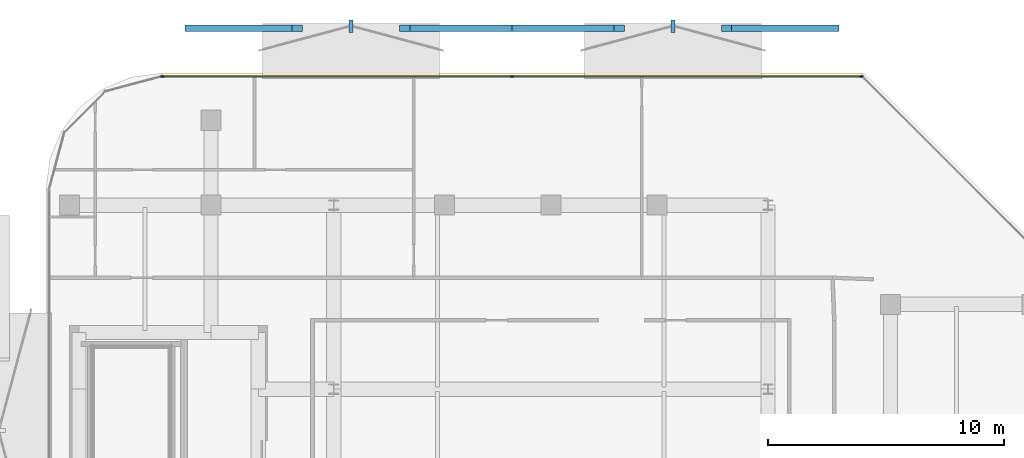
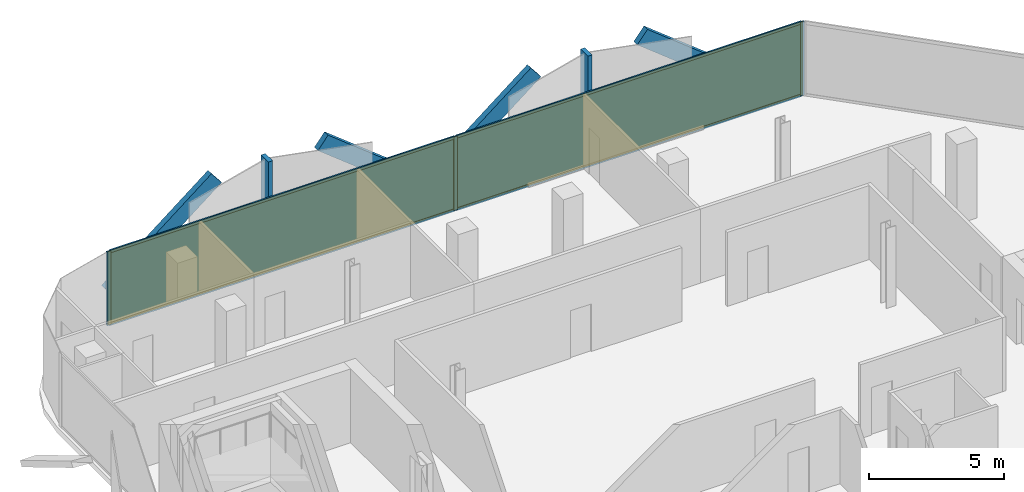
# One storey, part 10 of 15: 13 members, 2 plates, 1 curtain wall.
"""IFC4 building model written with IfcOpenShell, lengths in metres."""

from ifc_helpers import new_model, si_unit, direction, frame, frame_2d, origin, origin_2d, place, context, subcontext, project, spatial, rectangle, extrude, material, layer, layer_set, material_profile, profile_set, type_object, element, aggregate, save


model = new_model("IFC4")

# Units and contexts
model_context = context("Model", 3, precision=1e-05, world=origin(), true_north=direction((0.0, 1.0)))
body_context = subcontext(model_context, "Body", "Model", "MODEL_VIEW")
ifc_project = project(units=[si_unit("LENGTHUNIT", "METRE"), si_unit("AREAUNIT", "SQUARE_METRE"), si_unit("VOLUMEUNIT", "CUBIC_METRE"), si_unit("PLANEANGLEUNIT", "RADIAN"), si_unit("MASSUNIT", "GRAM", prefix="KILO")], contexts=[model_context])

# Member
ifc_material_1 = material(Name="Anodised Bronze Aluminium 6063-T6", Category="aluminium")
ifc_material_profile_1 = material_profile(ifc_material_1, rectangle(XDim=0.260009765625, YDim=0.699951171875, at=origin_2d()))
ifc_profile_set_1 = profile_set([ifc_material_profile_1], Name="Anodised Bronze Aluminium 6063-T6")
member_type_1 = type_object("IfcMemberType", Name="Bronze Diamond Solar-Screen Lattice Rib BDL-700", PredefinedType="MULLION", material=ifc_profile_set_1)
site_placement = place(None, origin())
building_placement = place(site_placement, origin())
storey_placement = place(building_placement, frame((0.0, 0.0, 265.60009765625)))
member_1_placement = place(storey_placement, frame((-15.290771484375, 26.10009765625, -0.130126953125), z_axis=(0.784134568513, 0.0, 0.620590830147), x_axis=(0.0, 1.0, 0.0)))
member_1 = element("IfcMember", 1, at=member_1_placement, type_object=member_type_1, Name="L63 Bronze Diamond Solar Screen Lattice Rib 437A", PredefinedType="MULLION", context=body_context, shape_type="SweptSolid", body=[
    extrude(rectangle(XDim=0.260009765625, YDim=0.699951171875, at=origin_2d()), origin(), (0.0, 0.0, 1.0), 5.801025390625),
])

member_2_placement = place(storey_placement, frame((-1.644287109375, 26.10009765625, -0.130126953125), z_axis=(-0.784134568513, 0.0, 0.620590830147), x_axis=(0.0, -1.0, 0.0)))
member_2 = element("IfcMember", 2, at=member_2_placement, type_object=member_type_1, Name="L63 Bronze Diamond Solar Screen Lattice Rib 437B", PredefinedType="MULLION", context=body_context, shape_type="SweptSolid", body=[
    extrude(rectangle(XDim=0.260009765625, YDim=0.699951171875, at=origin_2d()), origin(), (0.0, 0.0, 1.0), 5.801025390625),
])

member_3_placement = place(storey_placement, frame((-1.644287109375, 26.10009765625, -0.130126953125), z_axis=(0.784118359248, 0.0, 0.620611310476), x_axis=(0.0, 1.0, 0.0)))
member_3 = element("IfcMember", 3, at=member_3_placement, type_object=member_type_1, Name="L63 Bronze Diamond Solar Screen Lattice Rib 438A", PredefinedType="MULLION", context=body_context, shape_type="SweptSolid", body=[
    extrude(rectangle(XDim=0.260009765625, YDim=0.699951171875, at=origin_2d()), origin(), (0.0, 0.0, 1.0), 5.80078125),
])

member_4_placement = place(storey_placement, frame((12.001953125, 26.10009765625, -0.130126953125), z_axis=(-0.784134568513, 0.0, 0.620590830147), x_axis=(0.0, -1.0, 0.0)))
member_4 = element("IfcMember", 4, at=member_4_placement, type_object=member_type_1, Name="L63 Bronze Diamond Solar Screen Lattice Rib 438B", PredefinedType="MULLION", context=body_context, shape_type="SweptSolid", body=[
    extrude(rectangle(XDim=0.260009765625, YDim=0.699951171875, at=origin_2d()), origin(), (0.0, 0.0, 1.0), 5.801025390625),
])

ifc_material_2 = material(Name="Anodised Bronze Aluminium 6063-T6", Category="aluminium")
ifc_material_profile_2 = material_profile(ifc_material_2, rectangle(XDim=0.179931640625, YDim=0.5400390625, at=origin_2d()))
ifc_profile_set_2 = profile_set([ifc_material_profile_2], Name="Anodised Bronze Aluminium 6063-T6")
member_type_2 = type_object("IfcMemberType", Name="Bronze Solar-Screen Vertical Fold Fin BSF-540", PredefinedType="MULLION", material=ifc_profile_set_2)
member_5_placement = place(storey_placement, frame((-8.467529296875, 26.179931640625, -0.130126953125), z_axis=(0.0, 0.0, 1.0), x_axis=(1.0, 0.0, 0.0)))
member_5 = element("IfcMember", 5, at=member_5_placement, type_object=member_type_2, Name="L63 Bronze Solar Screen Vertical Fin 437", PredefinedType="MULLION", context=body_context, shape_type="SweptSolid", body=[
    extrude(rectangle(XDim=0.179931640625, YDim=0.5400390625, at=origin_2d()), origin(), (0.0, 0.0, 1.0), 3.60009765625),
])

member_6_placement = place(storey_placement, frame((5.1787109375, 26.179931640625, -0.130126953125), z_axis=(0.0, 0.0, 1.0), x_axis=(1.0, 0.0, 0.0)))
member_6 = element("IfcMember", 6, at=member_6_placement, type_object=member_type_2, Name="L63 Bronze Solar Screen Vertical Fin 438", PredefinedType="MULLION", context=body_context, shape_type="SweptSolid", body=[
    extrude(rectangle(XDim=0.179931640625, YDim=0.5400390625, at=origin_2d()), origin(), (0.0, 0.0, 1.0), 3.60009765625),
])

ifc_material_3 = material(Name="Anodised Bronze Aluminium 6063-T6", Category="aluminium")
ifc_material_profile_3 = material_profile(ifc_material_3, rectangle(XDim=0.06005859375, YDim=0.159912109375, at=origin_2d()))
ifc_profile_set_3 = profile_set([ifc_material_profile_3], Name="Anodised Bronze Aluminium 6063-T6")
member_type_3 = type_object("IfcMemberType", Name="CW-Z4 Mullion 60x160", PredefinedType="MULLION", material=ifc_profile_set_3)
member_7_placement = place(storey_placement, frame((-16.460693359375, 24.06005859375, 0.0), z_axis=(0.0, 0.0, 1.0), x_axis=(0.0, 1.0, 0.0)))
member_7 = element("IfcMember", 7, at=member_7_placement, type_object=member_type_3, Name="CW-Z4 mullion 1", PredefinedType="MULLION", context=body_context, shape_type="SweptSolid", body=[
    extrude(rectangle(XDim=0.06005859375, YDim=0.159912109375, at=origin_2d()), origin(), (0.0, 0.0, 1.0), 3.33984375),
])

member_8_placement = place(storey_placement, frame((-1.644287109375, 24.06005859375, 0.0), z_axis=(0.0, 0.0, 1.0), x_axis=(0.0, 1.0, 0.0)))
member_8 = element("IfcMember", 8, at=member_8_placement, type_object=member_type_3, Name="CW-Z4 mullion 2", PredefinedType="MULLION", context=body_context, shape_type="SweptSolid", body=[
    extrude(rectangle(XDim=0.06005859375, YDim=0.159912109375, at=origin_2d()), origin(), (0.0, 0.0, 1.0), 3.33984375),
])

member_9_placement = place(storey_placement, frame((13.172119140625, 24.06005859375, 0.0), z_axis=(0.0, 0.0, 1.0), x_axis=(0.0, 1.0, 0.0)))
member_9 = element("IfcMember", 9, at=member_9_placement, type_object=member_type_3, Name="CW-Z4 mullion 3", PredefinedType="MULLION", context=body_context, shape_type="SweptSolid", body=[
    extrude(rectangle(XDim=0.06005859375, YDim=0.159912109375, at=origin_2d()), origin(), (0.0, 0.0, 1.0), 3.33984375),
])

ifc_material_4 = material(Name="Anodised Bronze Aluminium 6063-T6", Category="aluminium")
ifc_material_profile_4 = material_profile(ifc_material_4, rectangle(XDim=0.06005859375, YDim=0.125, at=origin_2d()))
ifc_profile_set_4 = profile_set([ifc_material_profile_4], Name="Anodised Bronze Aluminium 6063-T6")
member_type_4 = type_object("IfcMemberType", Name="CW-Z4 Transom 60x125", PredefinedType="USERDEFINED", material=ifc_profile_set_4)
member_10_placement = place(storey_placement, frame((-16.430908203125, 24.06005859375, 0.02978515625), z_axis=(1.0, 0.0, 0.0), x_axis=(0.0, 1.0, 0.0)))
member_10 = element("IfcMember", 10, at=member_10_placement, type_object=member_type_4, Name="CW-Z4 transom 1.1", ObjectType="TRANSOM", PredefinedType="USERDEFINED", context=body_context, shape_type="SweptSolid", body=[
    extrude(rectangle(XDim=0.06005859375, YDim=0.125, at=origin_2d()), origin(), (0.0, 0.0, 1.0), 14.756591796875),
])

member_11_placement = place(storey_placement, frame((-16.430908203125, 24.06005859375, 3.309814453125), z_axis=(1.0, 0.0, 0.0), x_axis=(0.0, 1.0, 0.0)))
member_11 = element("IfcMember", 11, at=member_11_placement, type_object=member_type_4, Name="CW-Z4 transom 1.2", ObjectType="TRANSOM", PredefinedType="USERDEFINED", context=body_context, shape_type="SweptSolid", body=[
    extrude(rectangle(XDim=0.06005859375, YDim=0.125, at=origin_2d()), origin(), (0.0, 0.0, 1.0), 14.756591796875),
])

member_12_placement = place(storey_placement, frame((-1.614501953125, 24.06005859375, 0.02978515625), z_axis=(1.0, 0.0, 0.0), x_axis=(0.0, 1.0, 0.0)))
member_12 = element("IfcMember", 12, at=member_12_placement, type_object=member_type_4, Name="CW-Z4 transom 2.1", ObjectType="TRANSOM", PredefinedType="USERDEFINED", context=body_context, shape_type="SweptSolid", body=[
    extrude(rectangle(XDim=0.06005859375, YDim=0.125, at=origin_2d()), origin(), (0.0, 0.0, 1.0), 14.756591796875),
])

member_13_placement = place(storey_placement, frame((-1.614501953125, 24.06005859375, 3.309814453125), z_axis=(1.0, 0.0, 0.0), x_axis=(0.0, 1.0, 0.0)))
member_13 = element("IfcMember", 13, at=member_13_placement, type_object=member_type_4, Name="CW-Z4 transom 2.2", ObjectType="TRANSOM", PredefinedType="USERDEFINED", context=body_context, shape_type="SweptSolid", body=[
    extrude(rectangle(XDim=0.06005859375, YDim=0.125, at=origin_2d()), origin(), (0.0, 0.0, 1.0), 14.756591796875),
])

# Plate
ifc_material_5 = material(Name="Low-E Solar Control Laminated Glass", Category="glass")
ifc_layer_1 = layer(ifc_material_5, 0.030029296875, Name="Low-E Solar Control Laminated Glass")
ifc_layer_set_1 = layer_set([ifc_layer_1], Name="Low-E Solar Control Laminated Glass")
plate_type = type_object("IfcPlateType", Name="CW-Z4 Low-E Double Glazed Panel 30mm", PredefinedType="CURTAIN_PANEL", material=ifc_layer_set_1)
plate_1_placement = place(storey_placement, frame((-9.052490234375, 24.06005859375, 0.06005859375), z_axis=(0.0, 0.0, 1.0), x_axis=(1.0, 0.0, 0.0)))
plate_1 = element("IfcPlate", 14, at=plate_1_placement, type_object=plate_type, Name="CW-Z4 panel 1.1", PredefinedType="CURTAIN_PANEL", context=body_context, shape_type="SweptSolid", body=[
    extrude(rectangle(XDim=14.75634765625, YDim=0.030029296875, at=origin_2d()), origin(), (0.0, 0.0, 1.0), 3.219970703125),
])

plate_2_placement = place(storey_placement, frame((5.763916015625, 24.06005859375, 0.06005859375), z_axis=(0.0, 0.0, 1.0), x_axis=(1.0, 0.0, 0.0)))
plate_2 = element("IfcPlate", 15, at=plate_2_placement, type_object=plate_type, Name="CW-Z4 panel 2.1", PredefinedType="CURTAIN_PANEL", context=body_context, shape_type="SweptSolid", body=[
    extrude(rectangle(XDim=14.75634765625, YDim=0.030029296875, at=origin_2d()), origin(), (0.0, 0.0, 1.0), 3.219970703125),
])

# Site, building, storey
site = spatial("IfcSite", under=ifc_project, at=site_placement, CompositionType="ELEMENT")
building = spatial("IfcBuilding", under=site, at=building_placement, Name="Khairoan Windgate Tower", CompositionType="ELEMENT")
storey = spatial("IfcBuildingStorey", under=building, at=storey_placement, Name="L63", CompositionType="ELEMENT", Elevation=265.60009765625)

# Curtain wall
ifc_material_6 = material(Name="Anodised Bronze Aluminium 6063-T6", Category="aluminium")
ifc_layer_2 = layer(ifc_material_6, 0.159912109375, Name="Anodised Bronze Aluminium 6063-T6")
ifc_layer_set_2 = layer_set([ifc_layer_2], Name="Anodised Bronze Aluminium 6063-T6")
curtain_wall_type = type_object("IfcCurtainWallType", Name="Sky Residence Unitised Curtain Wall CW-Z4", PredefinedType="NOTDEFINED", material=ifc_layer_set_2)
curtain_wall_placement = place(storey_placement, frame((-16.49072265625, 24.06005859375, 0.0), z_axis=(0.0, 0.0, 1.0), x_axis=(1.0, 0.0, 0.0)))
curtain_wall = element("IfcCurtainWall", 16, at=curtain_wall_placement, inside=storey, type_object=curtain_wall_type, Name="L63 Unitised Curtain Wall 9", PredefinedType="NOTDEFINED", context=body_context, shape_type="SweptSolid", body=[
    extrude(rectangle(XDim=29.692626953125, YDim=0.010009765625, at=frame_2d((14.84619140625, 0.0))), origin(), (0.0, 0.0, 1.0), 3.33984375),
])

aggregate(curtain_wall, [member_7, member_8, member_9, member_10, member_11, plate_1, member_12, member_13, plate_2, member_1, member_2, member_5, member_3, member_4, member_6])

save(model, "model.ifc")
